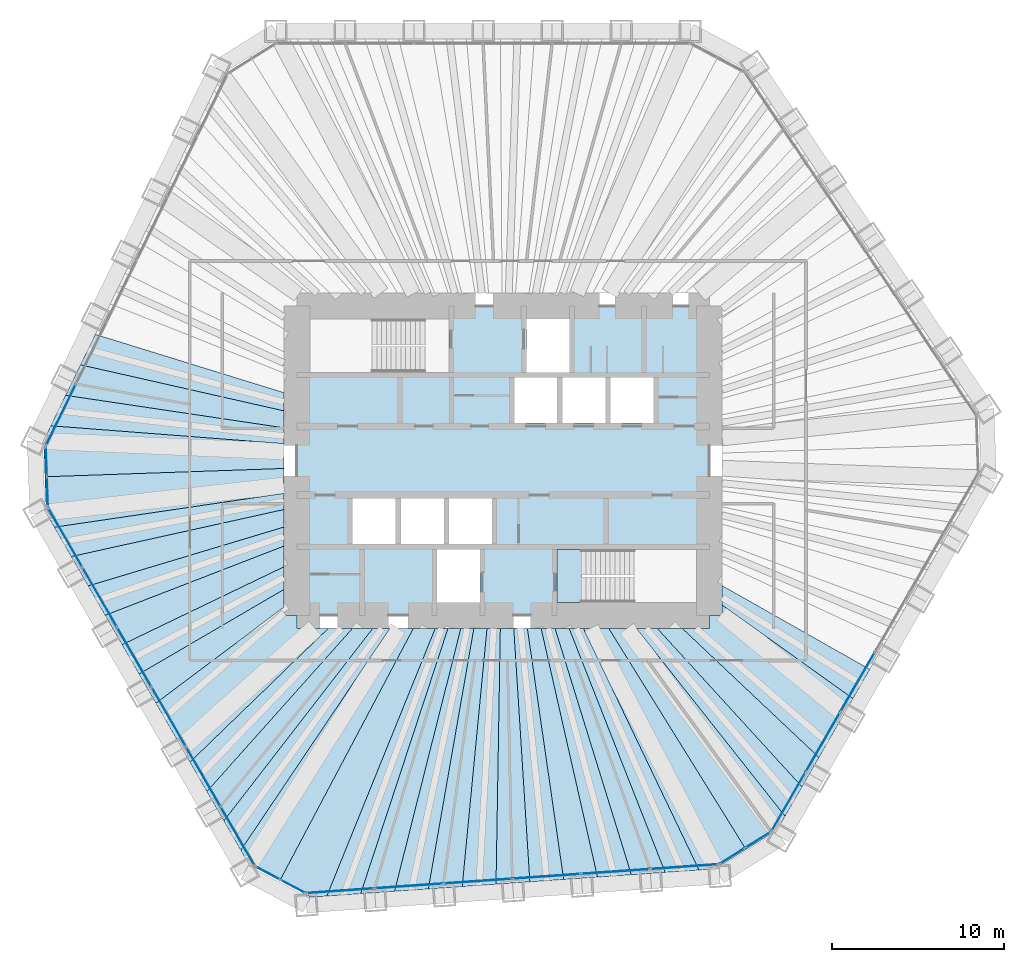
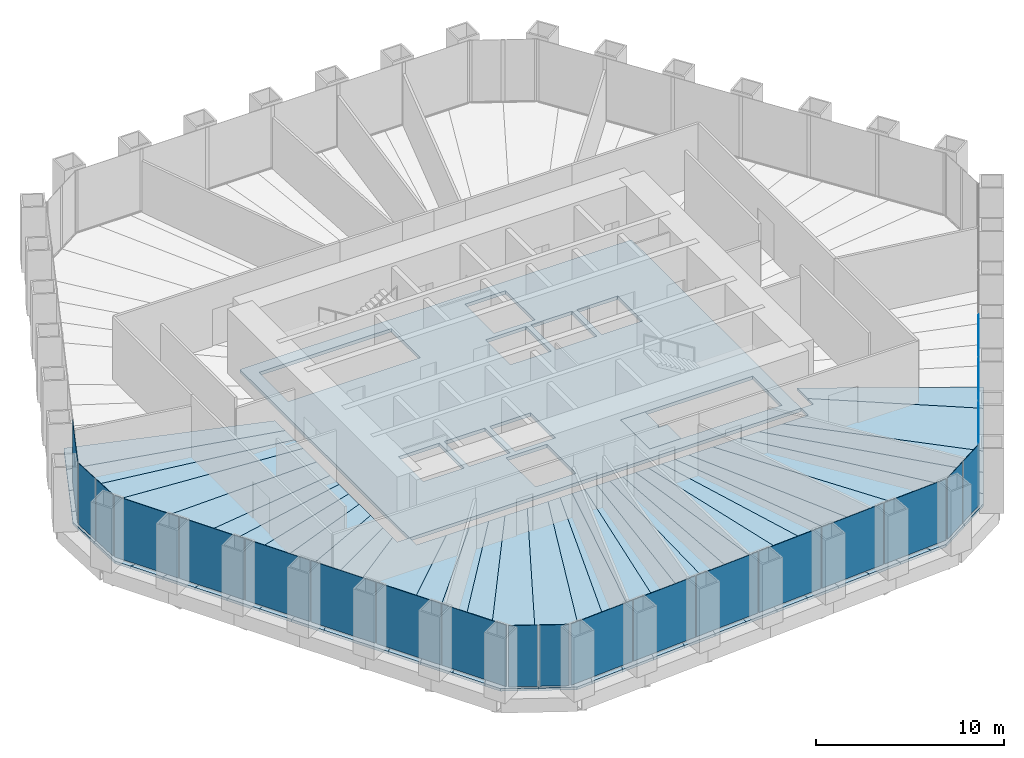
# One storey, part 7 of 12: 36 slabs, 22 plates, 8 elements without a shape of their own.
"""IFC4 building model written with IfcOpenShell, lengths in metres."""

import ifcopenshell
import ifcopenshell.guid

model = None  # the IFC model being written
_history = None  # IfcOwnerHistory: only IFC2X3 demands one
_inside = {}  # id of a spatial element -> (the spatial element, [elements in it])
_under = {}  # id of a project, library or spatial element -> (it, [spatial elements below it])
_declared = {}  # id of a project -> (the project, [libraries it declares])
_typed = {}  # id of a type object -> (the type object, [elements of that type])
_made_of = {}  # id of a material, layer set ... -> (it, [elements and type objects made of it])


def new_model(schema):
    """Start an empty IFC model of exactly this schema.

    Asked for "IFC4X3", IfcOpenShell would pick the latest addendum, in which some entities
    have other attributes; the version numbers below select the first issue.
    IFC2X3 requires an IfcOwnerHistory on every rooted entity: one is made here for all.
    """
    global model, _history
    if schema == "IFC4X3":
        model = ifcopenshell.file(schema_version=(4, 3, 0, 0))
    else:
        model = ifcopenshell.file(schema=schema)
    _inside.clear()
    _under.clear()
    _declared.clear()
    _typed.clear()
    _made_of.clear()
    _history = None
    if model.schema == "IFC2X3":
        org = make("IfcOrganization", Name="unknown")
        user = make(
            "IfcPersonAndOrganization",
            ThePerson=make("IfcPerson", FamilyName="unknown"),
            TheOrganization=org,
        )
        app = make(
            "IfcApplication",
            ApplicationDeveloper=org,
            Version="unknown",
            ApplicationFullName="unknown",
            ApplicationIdentifier="unknown",
        )
        _history = make(
            "IfcOwnerHistory",
            OwningUser=user,
            OwningApplication=app,
            ChangeAction="ADDED",
            CreationDate=0,
        )
    return model


def make(cls, **values):
    """One entity of the class cls with the attributes given. An attribute that is None is left unset."""
    return model.create_entity(
        cls, **{name: value for name, value in values.items() if value is not None}
    )


def rooted(cls, **values):
    """An entity with a GlobalId (a new one), such as an element, a storey or a relation."""
    return make(cls, GlobalId=ifcopenshell.guid.new(), OwnerHistory=_history, **values)


def si_unit(unit_type, name, prefix=None):
    """IfcSIUnit, for example si_unit("LENGTHUNIT", "METRE", prefix="MILLI")."""
    return make("IfcSIUnit", UnitType=unit_type, Prefix=prefix, Name=name)


def assignment(units):
    """IfcUnitAssignment: the units of a project."""
    return None if units is None else make("IfcUnitAssignment", Units=units)


def point(xyz):
    """IfcCartesianPoint."""
    return None if xyz is None else make("IfcCartesianPoint", Coordinates=xyz)


def direction(xyz):
    """IfcDirection."""
    return None if xyz is None else make("IfcDirection", DirectionRatios=xyz)


def frame(location, z_axis=None, x_axis=None):
    """IfcAxis2Placement3D, a coordinate frame: its origin and axes. An axis left out is left unset."""
    return make(
        "IfcAxis2Placement3D",
        Location=point(location),
        Axis=direction(z_axis),
        RefDirection=direction(x_axis),
    )


def frame_2d(location, x_axis=None):
    """IfcAxis2Placement2D, a coordinate frame in the plane: its origin and x axis."""
    return make(
        "IfcAxis2Placement2D", Location=point(location), RefDirection=direction(x_axis)
    )


def origin():
    """The frame at (0, 0, 0) with its axes left unset."""
    return frame((0.0, 0.0, 0.0))


def origin_2d():
    """The frame at (0, 0) in the plane with its x axis left unset."""
    return frame_2d((0.0, 0.0))


def place(relative_to, where):
    """IfcLocalPlacement: puts the frame where relative to a parent placement (None: the world)."""
    return make(
        "IfcLocalPlacement", PlacementRelTo=relative_to, RelativePlacement=where
    )


def context(
    kind, dimensions, precision=None, world=None, true_north=None, identifier=None
):
    """IfcGeometricRepresentationContext, for example the 3D "Model" context."""
    return make(
        "IfcGeometricRepresentationContext",
        ContextIdentifier=identifier,
        ContextType=kind,
        CoordinateSpaceDimension=dimensions,
        Precision=precision,
        WorldCoordinateSystem=world,
        TrueNorth=true_north,
    )


def subcontext(parent, identifier, kind, view, scale=None):
    """IfcGeometricRepresentationSubContext, for example "Body" below "Model"."""
    return make(
        "IfcGeometricRepresentationSubContext",
        ContextIdentifier=identifier,
        ContextType=kind,
        ParentContext=parent,
        TargetScale=scale,
        TargetView=view,
    )


def project(units=None, contexts=None):
    """IfcProject with its units and contexts."""
    return rooted(
        "IfcProject",
        Name="project",
        RepresentationContexts=contexts,
        UnitsInContext=assignment(units),
    )


def spatial(cls, under=None, at=None, **own):
    """A site, building, storey or space (cls), placed at a placement, below another one or the project."""
    s = rooted(cls, ObjectPlacement=at, **own)
    if under is not None:
        _under.setdefault(under.id(), (under, []))[1].append(s)
    return s


def polyline(points):
    """IfcPolyline through the points."""
    return make("IfcPolyline", Points=[point(p) for p in points])


def profile(cls, at=None, kind="AREA", **sizes):
    """A parametric profile (cls). Its sizes go by their IFC names, for example OverallWidth=200.0."""
    return make(cls, ProfileType=kind, Position=at, **sizes)


def rectangle(**sizes):
    """IfcRectangleProfileDef."""
    return profile("IfcRectangleProfileDef", **sizes)


def outline(outer, holes=None, kind="AREA"):
    """IfcArbitraryClosedProfileDef: a profile drawn as a closed curve; with holes, ...WithVoids."""
    if holes is None:
        return make("IfcArbitraryClosedProfileDef", ProfileType=kind, OuterCurve=outer)
    return make(
        "IfcArbitraryProfileDefWithVoids",
        ProfileType=kind,
        OuterCurve=outer,
        InnerCurves=holes,
    )


def extrude(swept, where, along, depth):
    """IfcExtrudedAreaSolid: the profile swept, set in the frame where, extruded along a direction by depth."""
    return make(
        "IfcExtrudedAreaSolid",
        SweptArea=swept,
        Position=where,
        ExtrudedDirection=direction(along),
        Depth=depth,
    )


def shape(context_of_items, identifier, shape_type, items):
    """IfcShapeRepresentation: the items that make up one representation, for example the "Body"."""
    return make(
        "IfcShapeRepresentation",
        ContextOfItems=context_of_items,
        RepresentationIdentifier=identifier,
        RepresentationType=shape_type,
        Items=items,
    )


def material(Name=None, Category=None):
    """IfcMaterial."""
    return make("IfcMaterial", Name=Name, Category=Category)


def layer(
    of_material, thickness, ventilated=None, Name=None, Category=None, Priority=None
):
    """IfcMaterialLayer: one layer of a wall or slab, of a material (None: an air gap)."""
    return make(
        "IfcMaterialLayer",
        Material=of_material,
        LayerThickness=thickness,
        IsVentilated=ventilated,
        Name=Name,
        Category=Category,
        Priority=Priority,
    )


def layer_set(layers, Name=None):
    """IfcMaterialLayerSet."""
    return make("IfcMaterialLayerSet", MaterialLayers=layers, LayerSetName=Name)


def made_of(thing, what):
    """Note that an element or type object is made of a material, layer set ...; save() writes the relation."""
    if what is not None:
        _made_of.setdefault(what.id(), (what, []))[1].append(thing)
    return thing


def type_object(cls, material=None, **own):
    """A type object (cls), such as IfcWallType, which elements share."""
    return made_of(rooted(cls, **own), material)


def element(
    cls,
    number,
    at=None,
    inside=None,
    cuts=None,
    type_object=None,
    material=None,
    context=None,
    identifier="Body",
    shape_type=None,
    held_by="IfcProductDefinitionShape",
    body=None,
    shapes=None,
    **own,
):
    """One element of the class cls, such as IfcWall. Its Tag is "e" and its number.

    at: its placement. inside: the storey or other place that contains it. cuts: it is an
    opening in that element (IfcRelVoidsElement). A single representation is given by context,
    identifier, shape_type and body (its items); several are given by shapes. held_by: the class
    of the entity that holds the representations. save() writes the other relations.
    """
    e = rooted(cls, Tag="e%d" % number, ObjectPlacement=at, **own)
    if body is not None:
        shapes = [shape(context, identifier, shape_type, body)]
    if shapes is not None:
        e.Representation = make(held_by, Representations=shapes)
    if inside is not None:
        _inside.setdefault(inside.id(), (inside, []))[1].append(e)
    if cuts is not None:
        rooted(
            "IfcRelVoidsElement", RelatingBuildingElement=cuts, RelatedOpeningElement=e
        )
    if type_object is not None:
        _typed.setdefault(type_object.id(), (type_object, []))[1].append(e)
    return made_of(e, material)


def aggregate(whole, parts):
    """IfcRelAggregates: a whole, such as a stair, and the parts it consists of."""
    return rooted("IfcRelAggregates", RelatingObject=whole, RelatedObjects=parts)


def save(model, path):
    """Write the relations noted so far, then the file.

    IfcRelAggregates (storeys below a building ...), IfcRelContainedInSpatialStructure (elements
    in a storey), IfcRelDefinesByType, IfcRelAssociatesMaterial and IfcRelDeclares: one each for
    every whole, place, type object, material and project.
    """
    for whole, parts in _under.values():
        aggregate(whole, parts)
    for where, things in _inside.values():
        rooted(
            "IfcRelContainedInSpatialStructure",
            RelatedElements=things,
            RelatingStructure=where,
        )
    for kind, things in _typed.values():
        rooted("IfcRelDefinesByType", RelatedObjects=things, RelatingType=kind)
    for what, things in _made_of.values():
        rooted("IfcRelAssociatesMaterial", RelatedObjects=things, RelatingMaterial=what)
    for by, libraries in _declared.values():
        rooted("IfcRelDeclares", RelatingContext=by, RelatedDefinitions=libraries)
    model.write(path)


model = new_model("IFC4")

# Units and contexts
model_context = context("Model", 3, precision=1e-05, world=origin(), true_north=direction((0.0, 1.0)))
body_context = subcontext(model_context, "Body", "Model", "MODEL_VIEW")
ifc_project = project(units=[si_unit("LENGTHUNIT", "METRE"), si_unit("AREAUNIT", "SQUARE_METRE"), si_unit("VOLUMEUNIT", "CUBIC_METRE"), si_unit("PLANEANGLEUNIT", "RADIAN"), si_unit("MASSUNIT", "GRAM", prefix="KILO")], contexts=[model_context])

# Site, building, storey
site_placement = place(None, origin())
site = spatial("IfcSite", under=ifc_project, at=site_placement, CompositionType="ELEMENT")
building_placement = place(site_placement, origin())
building = spatial("IfcBuilding", under=site, at=building_placement, Name="Qingtian Harvest Tower", CompositionType="ELEMENT")
storey_placement = place(building_placement, frame((0.0, 0.0, 107.199951171875)))
storey = spatial("IfcBuildingStorey", under=building, at=storey_placement, Name="L21", CompositionType="ELEMENT", Elevation=107.199951171875)

# Slabs
ifc_material_1 = material(Name="Concrete fc' 35 MPa", Category="concrete")
ifc_layer_1 = layer(ifc_material_1, 0.169921875)
ifc_layer_set_1 = layer_set([ifc_layer_1], Name="Composite floor slab FS17 170")
slab_type_1 = type_object("IfcSlabType", Name="Composite floor slab FS17 170", PredefinedType="FLOOR", material=ifc_layer_set_1)
slab_1_placement = place(storey_placement, frame((0.0, 0.0, -0.169921875)))
element("IfcSlab", 1, at=slab_1_placement, inside=storey, type_object=slab_type_1, Name="Floor slab L21 panel D01", PredefinedType="FLOOR", context=body_context, shape_type="SweptSolid", body=[
    extrude(outline(polyline([(-26.667236328125, -0.931396484375), (-12.75, -0.447998046875), (-12.75, -1.89599609375), (-26.12109375, -3.866943359375), (-26.59326171875, -3.049072265625), (-26.667236328125, -0.931396484375)])), origin(), (0.0, 0.0, 1.0), 0.169921875),
])
slab_2_placement = place(storey_placement, frame((0.0, 0.0, -0.169921875)))
element("IfcSlab", 2, at=slab_2_placement, inside=storey, type_object=slab_type_1, Name="Floor slab L21 panel D02", PredefinedType="FLOOR", context=body_context, shape_type="SweptSolid", body=[
    extrude(outline(polyline([(-12.75, -2.838134765625), (-25.13427734375, -5.576416015625), (-26.12109375, -3.866943359375), (-12.75, -1.89599609375), (-12.75, -2.838134765625)])), origin(), (0.0, 0.0, 1.0), 0.169921875),
])
slab_3_placement = place(storey_placement, frame((0.0, 0.0, -0.169921875)))
element("IfcSlab", 3, at=slab_3_placement, inside=storey, type_object=slab_type_1, Name="Floor slab L21 panel D03", PredefinedType="FLOOR", context=body_context, shape_type="SweptSolid", body=[
    extrude(outline(polyline([(-12.75, -3.857666015625), (-24.147216796875, -7.28564453125), (-25.13427734375, -5.576416015625), (-12.75, -2.838134765625), (-12.75, -3.857666015625)])), origin(), (0.0, 0.0, 1.0), 0.169921875),
])
slab_4_placement = place(storey_placement, frame((0.0, 0.0, -0.169921875)))
element("IfcSlab", 4, at=slab_4_placement, inside=storey, type_object=slab_type_1, Name="Floor slab L21 panel D04", PredefinedType="FLOOR", context=body_context, shape_type="SweptSolid", body=[
    extrude(outline(polyline([(-12.75, -4.9638671875), (-23.160400390625, -8.9951171875), (-24.147216796875, -7.28564453125), (-12.75, -3.857666015625), (-12.75, -4.9638671875)])), origin(), (0.0, 0.0, 1.0), 0.169921875),
])
slab_5_placement = place(storey_placement, frame((0.0, 0.0, -0.169921875)))
element("IfcSlab", 5, at=slab_5_placement, inside=storey, type_object=slab_type_1, Name="Floor slab L21 panel D05", PredefinedType="FLOOR", context=body_context, shape_type="SweptSolid", body=[
    extrude(outline(polyline([(-12.75, -6.1689453125), (-22.17333984375, -10.70458984375), (-23.160400390625, -8.9951171875), (-12.75, -4.9638671875), (-12.75, -6.1689453125)])), origin(), (0.0, 0.0, 1.0), 0.169921875),
])
slab_6_placement = place(storey_placement, frame((0.0, 0.0, -0.169921875)))
element("IfcSlab", 6, at=slab_6_placement, inside=storey, type_object=slab_type_1, Name="Floor slab L21 panel D06", PredefinedType="FLOOR", context=body_context, shape_type="SweptSolid", body=[
    extrude(outline(polyline([(-12.75, -7.486328125), (-21.1865234375, -12.413818359375), (-22.17333984375, -10.70458984375), (-12.75, -6.1689453125), (-12.75, -7.486328125)])), origin(), (0.0, 0.0, 1.0), 0.169921875),
])
slab_7_placement = place(storey_placement, frame((0.0, 0.0, -0.169921875)))
element("IfcSlab", 7, at=slab_7_placement, inside=storey, type_object=slab_type_1, Name="Floor slab L21 panel D07", PredefinedType="FLOOR", context=body_context, shape_type="SweptSolid", body=[
    extrude(outline(polyline([(-12.75, -8.512451171875), (-20.20751953125, -14.109619140625), (-21.1865234375, -12.413818359375), (-12.75, -7.486328125), (-12.75, -8.512451171875)])), origin(), (0.0, 0.0, 1.0), 0.169921875),
])
slab_8_placement = place(storey_placement, frame((0.0, 0.0, -0.169921875)))
element("IfcSlab", 8, at=slab_8_placement, inside=storey, type_object=slab_type_1, Name="Floor slab L21 panel D09", PredefinedType="FLOOR", context=body_context, shape_type="SweptSolid", body=[
    extrude(outline(polyline([(-18.2265625, -17.54052734375), (-20.20751953125, -14.109619140625), (-12.75, -8.512451171875), (-12.75, -9.0), (-12.0, -9.0), (-12.0, -9.75), (-10.168212890625, -9.75), (-18.2265625, -17.54052734375)])), origin(), (0.0, 0.0, 1.0), 0.169921875),
])
slab_9_placement = place(storey_placement, frame((0.0, 0.0, -0.169921875)))
element("IfcSlab", 9, at=slab_9_placement, inside=storey, type_object=slab_type_1, Name="Floor slab L21 panel D10", PredefinedType="FLOOR", context=body_context, shape_type="SweptSolid", body=[
    extrude(outline(polyline([(-8.759521484375, -9.75), (-17.23974609375, -19.25), (-18.2265625, -17.54052734375), (-10.168212890625, -9.75), (-8.759521484375, -9.75)])), origin(), (0.0, 0.0, 1.0), 0.169921875),
])
slab_10_placement = place(storey_placement, frame((0.0, 0.0, -0.169921875)))
element("IfcSlab", 10, at=slab_10_placement, inside=storey, type_object=slab_type_1, Name="Floor slab L21 panel D11", PredefinedType="FLOOR", context=body_context, shape_type="SweptSolid", body=[
    extrude(outline(polyline([(-7.58203125, -9.75), (-16.252685546875, -20.95947265625), (-17.23974609375, -19.25), (-8.759521484375, -9.75), (-7.58203125, -9.75)])), origin(), (0.0, 0.0, 1.0), 0.169921875),
])
slab_11_placement = place(storey_placement, frame((0.0, 0.0, -0.169921875)))
element("IfcSlab", 11, at=slab_11_placement, inside=storey, type_object=slab_type_1, Name="Floor slab L21 panel D12", PredefinedType="FLOOR", context=body_context, shape_type="SweptSolid", body=[
    extrude(outline(polyline([(-6.5830078125, -9.75), (-15.265869140625, -22.6689453125), (-16.252685546875, -20.95947265625), (-7.58203125, -9.75), (-6.5830078125, -9.75)])), origin(), (0.0, 0.0, 1.0), 0.169921875),
])
slab_12_placement = place(storey_placement, frame((0.0, 0.0, -0.169921875)))
element("IfcSlab", 12, at=slab_12_placement, inside=storey, type_object=slab_type_1, Name="Floor slab L21 panel D13", PredefinedType="FLOOR", context=body_context, shape_type="SweptSolid", body=[
    extrude(outline(polyline([(-6.5830078125, -9.75), (-5.21875, -9.75), (-12.9970703125, -24.442138671875), (-14.79345703125, -23.487060546875), (-15.265869140625, -22.6689453125), (-6.5830078125, -9.75)])), origin(), (0.0, 0.0, 1.0), 0.169921875),
])
slab_13_placement = place(storey_placement, frame((0.0, 0.0, -0.169921875)))
element("IfcSlab", 13, at=slab_13_placement, inside=storey, type_object=slab_type_1, Name="Floor slab L21 panel D14", PredefinedType="FLOOR", context=body_context, shape_type="SweptSolid", body=[
    extrude(outline(polyline([(-5.21875, -9.75), (-3.947021484375, -9.75), (-10.25732421875, -25.332275390625), (-11.19921875, -25.398193359375), (-12.9970703125, -24.442138671875), (-5.21875, -9.75)])), origin(), (0.0, 0.0, 1.0), 0.169921875),
])
slab_14_placement = place(storey_placement, frame((0.0, 0.0, -0.169921875)))
element("IfcSlab", 14, at=slab_14_placement, inside=storey, type_object=slab_type_1, Name="Floor slab L21 panel D15", PredefinedType="FLOOR", context=body_context, shape_type="SweptSolid", body=[
    extrude(outline(polyline([(-3.20654296875, -9.75), (-8.288330078125, -25.194580078125), (-10.25732421875, -25.332275390625), (-3.947021484375, -9.75), (-3.20654296875, -9.75)])), origin(), (0.0, 0.0, 1.0), 0.169921875),
])
slab_15_placement = place(storey_placement, frame((0.0, 0.0, -0.169921875)))
element("IfcSlab", 15, at=slab_15_placement, inside=storey, type_object=slab_type_1, Name="Floor slab L21 panel D16", PredefinedType="FLOOR", context=body_context, shape_type="SweptSolid", body=[
    extrude(outline(polyline([(-2.4580078125, -9.75), (-6.3193359375, -25.056884765625), (-8.288330078125, -25.194580078125), (-3.20654296875, -9.75), (-2.4580078125, -9.75)])), origin(), (0.0, 0.0, 1.0), 0.169921875),
])
slab_16_placement = place(storey_placement, frame((0.0, 0.0, -0.169921875)))
element("IfcSlab", 16, at=slab_16_placement, inside=storey, type_object=slab_type_1, Name="Floor slab L21 panel D17", PredefinedType="FLOOR", context=body_context, shape_type="SweptSolid", body=[
    extrude(outline(polyline([(-1.701171875, -9.75), (-4.3505859375, -24.919189453125), (-6.3193359375, -25.056884765625), (-2.4580078125, -9.75), (-1.701171875, -9.75)])), origin(), (0.0, 0.0, 1.0), 0.169921875),
])
slab_17_placement = place(storey_placement, frame((0.0, 0.0, -0.169921875)))
element("IfcSlab", 17, at=slab_17_placement, inside=storey, type_object=slab_type_1, Name="Floor slab L21 panel D18", PredefinedType="FLOOR", context=body_context, shape_type="SweptSolid", body=[
    extrude(outline(polyline([(-0.93603515625, -9.75), (-2.381591796875, -24.781494140625), (-4.3505859375, -24.919189453125), (-1.701171875, -9.75), (-0.93603515625, -9.75)])), origin(), (0.0, 0.0, 1.0), 0.169921875),
])
slab_18_placement = place(storey_placement, frame((0.0, 0.0, -0.169921875)))
element("IfcSlab", 18, at=slab_18_placement, inside=storey, type_object=slab_type_1, Name="Floor slab L21 panel D19", PredefinedType="FLOOR", context=body_context, shape_type="SweptSolid", body=[
    extrude(outline(polyline([(-0.162109375, -9.75), (-0.41259765625, -24.643798828125), (-2.381591796875, -24.781494140625), (-0.93603515625, -9.75), (-0.162109375, -9.75)])), origin(), (0.0, 0.0, 1.0), 0.169921875),
])
slab_19_placement = place(storey_placement, frame((0.0, 0.0, -0.169921875)))
element("IfcSlab", 19, at=slab_19_placement, inside=storey, type_object=slab_type_1, Name="Floor slab L21 panel D20", PredefinedType="FLOOR", context=body_context, shape_type="SweptSolid", body=[
    extrude(outline(polyline([(0.620361328125, -9.75), (1.556396484375, -24.506103515625), (-0.41259765625, -24.643798828125), (-0.162109375, -9.75), (0.620361328125, -9.75)])), origin(), (0.0, 0.0, 1.0), 0.169921875),
])
slab_20_placement = place(storey_placement, frame((0.0, 0.0, -0.169921875)))
element("IfcSlab", 20, at=slab_20_placement, inside=storey, type_object=slab_type_1, Name="Floor slab L21 panel D21", PredefinedType="FLOOR", context=body_context, shape_type="SweptSolid", body=[
    extrude(outline(polyline([(1.41162109375, -9.75), (3.525390625, -24.368408203125), (1.556396484375, -24.506103515625), (0.620361328125, -9.75), (1.41162109375, -9.75)])), origin(), (0.0, 0.0, 1.0), 0.169921875),
])
slab_21_placement = place(storey_placement, frame((0.0, 0.0, -0.169921875)))
element("IfcSlab", 21, at=slab_21_placement, inside=storey, type_object=slab_type_1, Name="Floor slab L21 panel D22", PredefinedType="FLOOR", context=body_context, shape_type="SweptSolid", body=[
    extrude(outline(polyline([(2.2119140625, -9.75), (5.494384765625, -24.230712890625), (3.525390625, -24.368408203125), (1.41162109375, -9.75), (2.2119140625, -9.75)])), origin(), (0.0, 0.0, 1.0), 0.169921875),
])
slab_22_placement = place(storey_placement, frame((0.0, 0.0, -0.169921875)))
element("IfcSlab", 22, at=slab_22_placement, inside=storey, type_object=slab_type_1, Name="Floor slab L21 panel D23", PredefinedType="FLOOR", context=body_context, shape_type="SweptSolid", body=[
    extrude(outline(polyline([(3.021484375, -9.75), (7.46337890625, -24.093017578125), (5.494384765625, -24.230712890625), (2.2119140625, -9.75), (3.021484375, -9.75)])), origin(), (0.0, 0.0, 1.0), 0.169921875),
])
slab_23_placement = place(storey_placement, frame((0.0, 0.0, -0.169921875)))
element("IfcSlab", 23, at=slab_23_placement, inside=storey, type_object=slab_type_1, Name="Floor slab L21 panel D24", PredefinedType="FLOOR", context=body_context, shape_type="SweptSolid", body=[
    extrude(outline(polyline([(3.840087890625, -9.75), (9.43212890625, -23.955322265625), (7.46337890625, -24.093017578125), (3.021484375, -9.75), (3.840087890625, -9.75)])), origin(), (0.0, 0.0, 1.0), 0.169921875),
])
slab_24_placement = place(storey_placement, frame((0.0, 0.0, -0.169921875)))
element("IfcSlab", 24, at=slab_24_placement, inside=storey, type_object=slab_type_1, Name="Floor slab L21 panel D25", PredefinedType="FLOOR", context=body_context, shape_type="SweptSolid", body=[
    extrude(outline(polyline([(4.66845703125, -9.75), (11.401123046875, -23.817626953125), (9.43212890625, -23.955322265625), (3.840087890625, -9.75), (4.66845703125, -9.75)])), origin(), (0.0, 0.0, 1.0), 0.169921875),
])
slab_25_placement = place(storey_placement, frame((0.0, 0.0, -0.169921875)))
element("IfcSlab", 25, at=slab_25_placement, inside=storey, type_object=slab_type_1, Name="Floor slab L21 panel D26", PredefinedType="FLOOR", context=body_context, shape_type="SweptSolid", body=[
    extrude(outline(polyline([(4.66845703125, -9.75), (6.14404296875, -9.75), (14.141357421875, -22.628173828125), (12.343017578125, -23.751953125), (11.401123046875, -23.817626953125), (4.66845703125, -9.75)])), origin(), (0.0, 0.0, 1.0), 0.169921875),
])
slab_26_placement = place(storey_placement, frame((0.0, 0.0, -0.169921875)))
element("IfcSlab", 26, at=slab_26_placement, inside=storey, type_object=slab_type_1, Name="Floor slab L21 panel D27", PredefinedType="FLOOR", context=body_context, shape_type="SweptSolid", body=[
    extrude(outline(polyline([(6.14404296875, -9.75), (7.756103515625, -9.75), (16.40966796875, -20.687744140625), (15.937255859375, -21.505859375), (14.141357421875, -22.628173828125), (6.14404296875, -9.75)])), origin(), (0.0, 0.0, 1.0), 0.169921875),
])
slab_27_placement = place(storey_placement, frame((0.0, 0.0, -0.169921875)))
element("IfcSlab", 27, at=slab_27_placement, inside=storey, type_object=slab_type_1, Name="Floor slab L21 panel D28", PredefinedType="FLOOR", context=body_context, shape_type="SweptSolid", body=[
    extrude(outline(polyline([(8.966552734375, -9.75), (17.396484375, -18.978271484375), (16.40966796875, -20.687744140625), (7.756103515625, -9.75), (8.966552734375, -9.75)])), origin(), (0.0, 0.0, 1.0), 0.169921875),
])
slab_28_placement = place(storey_placement, frame((0.0, 0.0, -0.169921875)))
element("IfcSlab", 28, at=slab_28_placement, inside=storey, type_object=slab_type_1, Name="Floor slab L21 panel D29", PredefinedType="FLOOR", context=body_context, shape_type="SweptSolid", body=[
    extrude(outline(polyline([(10.41796875, -9.75), (18.383544921875, -17.2685546875), (17.396484375, -18.978271484375), (8.966552734375, -9.75), (10.41796875, -9.75)])), origin(), (0.0, 0.0, 1.0), 0.169921875),
])
slab_29_placement = place(storey_placement, frame((0.0, 0.0, -0.169921875)))
element("IfcSlab", 29, at=slab_29_placement, inside=storey, type_object=slab_type_1, Name="Floor slab L21 panel D31", PredefinedType="FLOOR", context=body_context, shape_type="SweptSolid", body=[
    extrude(outline(polyline([(12.75, -8.398681640625), (20.362060546875, -13.841796875), (18.383544921875, -17.2685546875), (10.41796875, -9.75), (12.0, -9.75), (12.0, -9.0), (12.75, -9.0), (12.75, -8.398681640625)])), origin(), (0.0, 0.0, 1.0), 0.169921875),
])
slab_30_placement = place(storey_placement, frame((0.0, 0.0, -0.169921875)))
element("IfcSlab", 30, at=slab_30_placement, inside=storey, type_object=slab_type_1, Name="Floor slab L21 panel D32", PredefinedType="FLOOR", context=body_context, shape_type="SweptSolid", body=[
    extrude(outline(polyline([(12.75, -7.268798828125), (21.343505859375, -12.14208984375), (20.362060546875, -13.841796875), (12.75, -8.398681640625), (12.75, -7.268798828125)])), origin(), (0.0, 0.0, 1.0), 0.169921875),
])
slab_31_placement = place(storey_placement, frame((0.0, 0.0, -0.169921875)))
element("IfcSlab", 31, at=slab_31_placement, inside=storey, type_object=slab_type_1, Name="Floor slab L21 panel D75", PredefinedType="FLOOR", context=body_context, shape_type="SweptSolid", body=[
    extrude(outline(polyline([(-12.75, 2.903076171875), (-24.5966796875, 5.58349609375), (-23.7314453125, 7.357421875), (-12.75, 3.962646484375), (-12.75, 2.903076171875)])), origin(), (0.0, 0.0, 1.0), 0.169921875),
])
slab_32_placement = place(storey_placement, frame((0.0, 0.0, -0.169921875)))
element("IfcSlab", 32, at=slab_32_placement, inside=storey, type_object=slab_type_1, Name="Floor slab L21 panel D76", PredefinedType="FLOOR", context=body_context, shape_type="SweptSolid", body=[
    extrude(outline(polyline([(-12.75, 1.91552734375), (-25.4619140625, 3.809326171875), (-24.5966796875, 5.58349609375), (-12.75, 2.903076171875), (-12.75, 1.91552734375)])), origin(), (0.0, 0.0, 1.0), 0.169921875),
])
slab_33_placement = place(storey_placement, frame((0.0, 0.0, -0.169921875)))
element("IfcSlab", 33, at=slab_33_placement, inside=storey, type_object=slab_type_1, Name="Floor slab L21 panel D77", PredefinedType="FLOOR", context=body_context, shape_type="SweptSolid", body=[
    extrude(outline(polyline([(-12.75, 0.992919921875), (-26.3271484375, 2.035400390625), (-25.4619140625, 3.809326171875), (-12.75, 1.91552734375), (-12.75, 0.992919921875)])), origin(), (0.0, 0.0, 1.0), 0.169921875),
])
slab_34_placement = place(storey_placement, frame((0.0, 0.0, -0.169921875)))
element("IfcSlab", 34, at=slab_34_placement, inside=storey, type_object=slab_type_1, Name="Floor slab L21 panel D78", PredefinedType="FLOOR", context=body_context, shape_type="SweptSolid", body=[
    extrude(outline(polyline([(-12.75, 0.992919921875), (-12.75, -0.447998046875), (-26.667236328125, -0.931396484375), (-26.7412109375, 1.1865234375), (-26.3271484375, 2.035400390625), (-12.75, 0.992919921875)])), origin(), (0.0, 0.0, 1.0), 0.169921875),
])
ifc_material_2 = material(Name="Concrete fc' 35 MPa", Category="concrete")
ifc_layer_2 = layer(ifc_material_2, 0.219970703125)
ifc_layer_set_2 = layer_set([ifc_layer_2], Name="Core floor slab CS22 220")
slab_type_2 = type_object("IfcSlabType", Name="Core floor slab CS22 220", PredefinedType="FLOOR", material=ifc_layer_set_2)
slab_35_placement = place(storey_placement, frame((0.0, 0.0, -0.219970703125)))
element("IfcSlab", 35, at=slab_35_placement, inside=storey, type_object=slab_type_2, Name="Core floor slab L21", PredefinedType="FLOOR", context=body_context, shape_type="SweptSolid", body=[
    extrude(outline(polyline([(-12.0, -9.0), (12.0, -9.0), (12.0, 9.0), (-12.0, 9.0), (-12.0, -9.0)]), holes=[polyline([(-11.25, 5.14990234375), (-3.14990234375, 5.14990234375), (-3.14990234375, 8.25), (-11.25, 8.25), (-11.25, 5.14990234375)]), polyline([(3.14990234375, -8.25), (11.25, -8.25), (11.25, -5.14990234375), (3.14990234375, -5.14990234375), (3.14990234375, -8.25)]), polyline([(1.35009765625, 5.14990234375), (3.85009765625, 5.14990234375), (3.85009765625, 8.25), (1.35009765625, 8.25), (1.35009765625, 5.14990234375)]), polyline([(-3.85009765625, -8.25), (-1.35009765625, -8.25), (-1.35009765625, -5.14990234375), (-3.85009765625, -5.14990234375), (-3.85009765625, -8.25)]), polyline([(0.64990234375, 2.199951171875), (3.14990234375, 2.199951171875), (3.14990234375, 4.85009765625), (0.64990234375, 4.85009765625), (0.64990234375, 2.199951171875)]), polyline([(3.449951171875, 2.199951171875), (5.949951171875, 2.199951171875), (5.949951171875, 4.85009765625), (3.449951171875, 4.85009765625), (3.449951171875, 2.199951171875)]), polyline([(6.25, 2.199951171875), (8.75, 2.199951171875), (8.75, 4.85009765625), (6.25, 4.85009765625), (6.25, 2.199951171875)]), polyline([(-8.75, -4.85009765625), (-6.25, -4.85009765625), (-6.25, -2.199951171875), (-8.75, -2.199951171875), (-8.75, -4.85009765625)]), polyline([(-5.949951171875, -4.85009765625), (-3.449951171875, -4.85009765625), (-3.449951171875, -2.199951171875), (-5.949951171875, -2.199951171875), (-5.949951171875, -4.85009765625)]), polyline([(-3.14990234375, -4.85009765625), (-0.64990234375, -4.85009765625), (-0.64990234375, -2.199951171875), (-3.14990234375, -2.199951171875), (-3.14990234375, -4.85009765625)])]), origin(), (0.0, 0.0, 1.0), 0.219970703125),
])

# Curtain wall, plates
ifc_material_3 = material(Name="Bronze-anodised aluminium curtain wall", Category="aluminium")
curtain_wall_type = type_object("IfcCurtainWallType", Name="Curtain wall CW4 office", PredefinedType="USERDEFINED", material=ifc_material_3)
curtain_wall_1_placement = place(storey_placement, origin())
curtain_wall_1 = element("IfcCurtainWall", 36, at=curtain_wall_1_placement, inside=storey, type_object=curtain_wall_type, Name="Curtain wall CW4 L21 SE0-5", ObjectType="RECESSED CURTAIN WALL", PredefinedType="USERDEFINED")
ifc_material_4 = material(Name="Bronze-tinted laminated insulating glass", Category="glass")
ifc_layer_3 = layer(ifc_material_4, 0.030029296875)
ifc_layer_set_3 = layer_set([ifc_layer_3], Name="Glazed panel CWP tinted IGU")
plate_type = type_object("IfcPlateType", Name="Glazed panel CWP tinted IGU", PredefinedType="CURTAIN_PANEL", material=ifc_layer_set_3)
plate_1_placement = place(storey_placement, frame((20.621826171875, -12.8818359375, 0.06494140625), z_axis=(0.0, 0.0, 1.0), x_axis=(-0.5, -0.866025403784, 0.0)))
plate_1 = element("IfcPlate", 37, at=plate_1_placement, type_object=plate_type, Name="CW4 panel 4.1", PredefinedType="CURTAIN_PANEL", context=body_context, shape_type="SweptSolid", body=[
    extrude(rectangle(XDim=3.9541015625, YDim=0.030029296875, at=origin_2d()), origin(), (0.0, 0.0, 1.0), 3.965087890625),
])
plate_2_placement = place(storey_placement, frame((18.6123046875, -16.362548828125, 0.06494140625), z_axis=(0.0, 0.0, 1.0), x_axis=(-0.5, -0.866025403784, 0.0)))
plate_2 = element("IfcPlate", 38, at=plate_2_placement, type_object=plate_type, Name="CW4 panel 5.1", PredefinedType="CURTAIN_PANEL", context=body_context, shape_type="SweptSolid", body=[
    extrude(rectangle(XDim=3.9541015625, YDim=0.030029296875, at=origin_2d()), origin(), (0.0, 0.0, 1.0), 3.965087890625),
])
plate_3_placement = place(storey_placement, frame((16.61083984375, -19.8291015625, 0.06494140625), z_axis=(0.0, 0.0, 1.0), x_axis=(-0.5, -0.866025403784, 0.0)))
plate_3 = element("IfcPlate", 39, at=plate_3_placement, type_object=plate_type, Name="CW4 panel 6.1", PredefinedType="CURTAIN_PANEL", context=body_context, shape_type="SweptSolid", body=[
    extrude(rectangle(XDim=3.921630859375, YDim=0.030029296875, at=origin_2d()), origin(), (0.0, 0.0, 1.0), 3.965087890625),
])
aggregate(curtain_wall_1, [plate_1, plate_2, plate_3])

curtain_wall_2_placement = place(storey_placement, origin())
curtain_wall_2 = element("IfcCurtainWall", 40, at=curtain_wall_2_placement, inside=storey, type_object=curtain_wall_type, Name="Curtain wall CW4 L21 SEC", ObjectType="RECESSED CURTAIN WALL", PredefinedType="USERDEFINED")
plate_4_placement = place(storey_placement, frame((14.8251953125, -22.06640625, 0.06494140625), z_axis=(0.0, 0.0, 1.0), x_axis=(-0.848048096156, -0.529919264233, 0.0)))
plate_4 = element("IfcPlate", 41, at=plate_4_placement, type_object=plate_type, Name="CW4 panel 1.1", PredefinedType="CURTAIN_PANEL", context=body_context, shape_type="SweptSolid", body=[
    extrude(rectangle(XDim=1.69287109375, YDim=0.030029296875, at=origin_2d()), origin(), (0.0, 0.0, 1.0), 3.965087890625),
])
plate_5_placement = place(storey_placement, frame((13.334228515625, -22.998046875, 0.06494140625), z_axis=(0.0, 0.0, 1.0), x_axis=(-0.848048096156, -0.529919264233, 0.0)))
plate_5 = element("IfcPlate", 42, at=plate_5_placement, type_object=plate_type, Name="CW4 panel 2.1", PredefinedType="CURTAIN_PANEL", context=body_context, shape_type="SweptSolid", body=[
    extrude(rectangle(XDim=1.69287109375, YDim=0.030029296875, at=origin_2d()), origin(), (0.0, 0.0, 1.0), 3.965087890625),
])
aggregate(curtain_wall_2, [plate_4, plate_5])

curtain_wall_3_placement = place(storey_placement, origin())
curtain_wall_3 = element("IfcCurtainWall", 43, at=curtain_wall_3_placement, inside=storey, type_object=curtain_wall_type, Name="Curtain wall CW4 L21 S0-5", ObjectType="RECESSED CURTAIN WALL", PredefinedType="USERDEFINED")
plate_6_placement = place(storey_placement, frame((10.54052734375, -23.622314453125, 0.06494140625), z_axis=(0.0, 0.0, 1.0), x_axis=(-0.99756405026, -0.069756473744, 0.0)))
plate_6 = element("IfcPlate", 44, at=plate_6_placement, type_object=plate_type, Name="CW4 panel 1.1", PredefinedType="CURTAIN_PANEL", context=body_context, shape_type="SweptSolid", body=[
    extrude(rectangle(XDim=3.921630859375, YDim=0.030029296875, at=origin_2d()), origin(), (0.0, 0.0, 1.0), 3.965087890625),
])
plate_7_placement = place(storey_placement, frame((6.54736328125, -23.901611328125, 0.06494140625), z_axis=(0.0, 0.0, 1.0), x_axis=(-0.99756405026, -0.069756473744, 0.0)))
plate_7 = element("IfcPlate", 45, at=plate_7_placement, type_object=plate_type, Name="CW4 panel 2.1", PredefinedType="CURTAIN_PANEL", context=body_context, shape_type="SweptSolid", body=[
    extrude(rectangle(XDim=3.9541015625, YDim=0.030029296875, at=origin_2d()), origin(), (0.0, 0.0, 1.0), 3.965087890625),
])
plate_8_placement = place(storey_placement, frame((2.5380859375, -24.181884765625, 0.06494140625), z_axis=(0.0, 0.0, 1.0), x_axis=(-0.99756405026, -0.069756473744, 0.0)))
plate_8 = element("IfcPlate", 46, at=plate_8_placement, type_object=plate_type, Name="CW4 panel 3.1", PredefinedType="CURTAIN_PANEL", context=body_context, shape_type="SweptSolid", body=[
    extrude(rectangle(XDim=3.9541015625, YDim=0.030029296875, at=origin_2d()), origin(), (0.0, 0.0, 1.0), 3.965087890625),
])
plate_9_placement = place(storey_placement, frame((-1.47119140625, -24.462158203125, 0.06494140625), z_axis=(0.0, 0.0, 1.0), x_axis=(-0.99756405026, -0.069756473744, 0.0)))
plate_9 = element("IfcPlate", 47, at=plate_9_placement, type_object=plate_type, Name="CW4 panel 4.1", PredefinedType="CURTAIN_PANEL", context=body_context, shape_type="SweptSolid", body=[
    extrude(rectangle(XDim=3.9541015625, YDim=0.030029296875, at=origin_2d()), origin(), (0.0, 0.0, 1.0), 3.965087890625),
])
plate_10_placement = place(storey_placement, frame((-5.48046875, -24.74267578125, 0.06494140625), z_axis=(0.0, 0.0, 1.0), x_axis=(-0.99756405026, -0.069756473744, 0.0)))
plate_10 = element("IfcPlate", 48, at=plate_10_placement, type_object=plate_type, Name="CW4 panel 5.1", PredefinedType="CURTAIN_PANEL", context=body_context, shape_type="SweptSolid", body=[
    extrude(rectangle(XDim=3.9541015625, YDim=0.030029296875, at=origin_2d()), origin(), (0.0, 0.0, 1.0), 3.965087890625),
])
plate_11_placement = place(storey_placement, frame((-9.4736328125, -25.021728515625, 0.06494140625), z_axis=(0.0, 0.0, 1.0), x_axis=(-0.99756405026, -0.069756473744, 0.0)))
plate_11 = element("IfcPlate", 49, at=plate_11_placement, type_object=plate_type, Name="CW4 panel 6.1", PredefinedType="CURTAIN_PANEL", context=body_context, shape_type="SweptSolid", body=[
    extrude(rectangle(XDim=3.921630859375, YDim=0.030029296875, at=origin_2d()), origin(), (0.0, 0.0, 1.0), 3.965087890625),
])
aggregate(curtain_wall_3, [plate_6, plate_7, plate_8, plate_9, plate_10, plate_11])

curtain_wall_4_placement = place(storey_placement, origin())
curtain_wall_4 = element("IfcCurtainWall", 50, at=curtain_wall_4_placement, inside=storey, type_object=curtain_wall_type, Name="Curtain wall CW4 L21 SC", ObjectType="RECESSED CURTAIN WALL", PredefinedType="USERDEFINED")
plate_12_placement = place(storey_placement, frame((-12.24365234375, -24.764892578125, 0.06494140625), z_axis=(0.0, 0.0, 1.0), x_axis=(-0.882947592859, 0.469471562786, 0.0)))
plate_12 = element("IfcPlate", 51, at=plate_12_placement, type_object=plate_type, Name="CW4 panel 1.1", PredefinedType="CURTAIN_PANEL", context=body_context, shape_type="SweptSolid", body=[
    extrude(rectangle(XDim=1.56689453125, YDim=0.030029296875, at=origin_2d()), origin(), (0.0, 0.0, 1.0), 3.965087890625),
])
plate_13_placement = place(storey_placement, frame((-13.684326171875, -23.998779296875, 0.06494140625), z_axis=(0.0, 0.0, 1.0), x_axis=(-0.882947592859, 0.469471562786, 0.0)))
plate_13 = element("IfcPlate", 52, at=plate_13_placement, type_object=plate_type, Name="CW4 panel 2.1", PredefinedType="CURTAIN_PANEL", context=body_context, shape_type="SweptSolid", body=[
    extrude(rectangle(XDim=1.56689453125, YDim=0.030029296875, at=origin_2d()), origin(), (0.0, 0.0, 1.0), 3.965087890625),
])
aggregate(curtain_wall_4, [plate_12, plate_13])

curtain_wall_5_placement = place(storey_placement, origin())
curtain_wall_5 = element("IfcCurtainWall", 53, at=curtain_wall_5_placement, inside=storey, type_object=curtain_wall_type, Name="Curtain wall CW4 L21 SW0-5", ObjectType="RECESSED CURTAIN WALL", PredefinedType="USERDEFINED")
plate_14_placement = place(storey_placement, frame((-15.446533203125, -21.845947265625, 0.06494140625), z_axis=(0.0, 0.0, 1.0), x_axis=(-0.5, 0.866025403784, 0.0)))
plate_14 = element("IfcPlate", 54, at=plate_14_placement, type_object=plate_type, Name="CW4 panel 1.1", PredefinedType="CURTAIN_PANEL", context=body_context, shape_type="SweptSolid", body=[
    extrude(rectangle(XDim=3.921630859375, YDim=0.030029296875, at=origin_2d()), origin(), (0.0, 0.0, 1.0), 3.965087890625),
])
plate_15_placement = place(storey_placement, frame((-17.44775390625, -18.37939453125, 0.06494140625), z_axis=(0.0, 0.0, 1.0), x_axis=(-0.5, 0.866025403784, 0.0)))
plate_15 = element("IfcPlate", 55, at=plate_15_placement, type_object=plate_type, Name="CW4 panel 2.1", PredefinedType="CURTAIN_PANEL", context=body_context, shape_type="SweptSolid", body=[
    extrude(rectangle(XDim=3.9541015625, YDim=0.030029296875, at=origin_2d()), origin(), (0.0, 0.0, 1.0), 3.965087890625),
])
plate_16_placement = place(storey_placement, frame((-19.45751953125, -14.898681640625, 0.06494140625), z_axis=(0.0, 0.0, 1.0), x_axis=(-0.5, 0.866025403784, 0.0)))
plate_16 = element("IfcPlate", 56, at=plate_16_placement, type_object=plate_type, Name="CW4 panel 3.1", PredefinedType="CURTAIN_PANEL", context=body_context, shape_type="SweptSolid", body=[
    extrude(rectangle(XDim=3.9541015625, YDim=0.030029296875, at=origin_2d()), origin(), (0.0, 0.0, 1.0), 3.965087890625),
])
plate_17_placement = place(storey_placement, frame((-21.467041015625, -11.418212890625, 0.06494140625), z_axis=(0.0, 0.0, 1.0), x_axis=(-0.5, 0.866025403784, 0.0)))
plate_17 = element("IfcPlate", 57, at=plate_17_placement, type_object=plate_type, Name="CW4 panel 4.1", PredefinedType="CURTAIN_PANEL", context=body_context, shape_type="SweptSolid", body=[
    extrude(rectangle(XDim=3.9541015625, YDim=0.030029296875, at=origin_2d()), origin(), (0.0, 0.0, 1.0), 3.965087890625),
])
plate_18_placement = place(storey_placement, frame((-23.4765625, -7.9375, 0.06494140625), z_axis=(0.0, 0.0, 1.0), x_axis=(-0.5, 0.866025403784, 0.0)))
plate_18 = element("IfcPlate", 58, at=plate_18_placement, type_object=plate_type, Name="CW4 panel 5.1", PredefinedType="CURTAIN_PANEL", context=body_context, shape_type="SweptSolid", body=[
    extrude(rectangle(XDim=3.9541015625, YDim=0.030029296875, at=origin_2d()), origin(), (0.0, 0.0, 1.0), 3.965087890625),
])
plate_19_placement = place(storey_placement, frame((-25.477783203125, -4.470947265625, 0.06494140625), z_axis=(0.0, 0.0, 1.0), x_axis=(-0.5, 0.866025403784, 0.0)))
plate_19 = element("IfcPlate", 59, at=plate_19_placement, type_object=plate_type, Name="CW4 panel 6.1", PredefinedType="CURTAIN_PANEL", context=body_context, shape_type="SweptSolid", body=[
    extrude(rectangle(XDim=3.921630859375, YDim=0.030029296875, at=origin_2d()), origin(), (0.0, 0.0, 1.0), 3.965087890625),
])
aggregate(curtain_wall_5, [plate_14, plate_15, plate_16, plate_17, plate_18, plate_19])

curtain_wall_6_placement = place(storey_placement, origin())
curtain_wall_6 = element("IfcCurtainWall", 60, at=curtain_wall_6_placement, inside=storey, type_object=curtain_wall_type, Name="Curtain wall CW4 L21 SWC", ObjectType="RECESSED CURTAIN WALL", PredefinedType="USERDEFINED")
plate_20_placement = place(storey_placement, frame((-26.522705078125, -1.8056640625, 0.06494140625), z_axis=(0.0, 0.0, 1.0), x_axis=(-0.034899496703, 0.999390827019, 0.0)))
plate_20 = element("IfcPlate", 61, at=plate_20_placement, type_object=plate_type, Name="CW4 panel 1.1", PredefinedType="CURTAIN_PANEL", context=body_context, shape_type="SweptSolid", body=[
    extrude(rectangle(XDim=1.69287109375, YDim=0.030029296875, at=origin_2d()), origin(), (0.0, 0.0, 1.0), 3.965087890625),
])
plate_21_placement = place(storey_placement, frame((-26.583984375, -0.048828125, 0.06494140625), z_axis=(0.0, 0.0, 1.0), x_axis=(-0.034899496703, 0.999390827019, 0.0)))
plate_21 = element("IfcPlate", 62, at=plate_21_placement, type_object=plate_type, Name="CW4 panel 2.1", PredefinedType="CURTAIN_PANEL", context=body_context, shape_type="SweptSolid", body=[
    extrude(rectangle(XDim=1.69287109375, YDim=0.030029296875, at=origin_2d()), origin(), (0.0, 0.0, 1.0), 3.965087890625),
])
aggregate(curtain_wall_6, [plate_20, plate_21])

# Curtain wall, plate
curtain_wall_7_placement = place(storey_placement, origin())
curtain_wall_7 = element("IfcCurtainWall", 63, at=curtain_wall_7_placement, inside=storey, type_object=curtain_wall_type, Name="Curtain wall CW4 L21 NW0-5", ObjectType="RECESSED CURTAIN WALL", PredefinedType="USERDEFINED")
plate_22_placement = place(storey_placement, frame((-25.727783203125, 2.682861328125, 0.06494140625), z_axis=(0.0, 0.0, 1.0), x_axis=(0.438371146789, 0.898794046299, 0.0)))
plate_22 = element("IfcPlate", 64, at=plate_22_placement, type_object=plate_type, Name="CW4 panel 1.1", PredefinedType="CURTAIN_PANEL", context=body_context, shape_type="SweptSolid", body=[
    extrude(rectangle(XDim=3.921630859375, YDim=0.030029296875, at=origin_2d()), origin(), (0.0, 0.0, 1.0), 3.965087890625),
])
aggregate(curtain_wall_7, [plate_22])

# Stair, slab
ifc_material_5 = material(Name="Concrete fc' 35 MPa", Category="concrete")
stair_type = type_object("IfcStairType", Name="Special stair ST3 4200", PredefinedType="HALF_TURN_STAIR", material=ifc_material_5)
stair_placement = place(storey_placement, origin())
stair = element("IfcStair", 65, at=stair_placement, inside=storey, type_object=stair_type, Name="Special stair S2 L21", PredefinedType="HALF_TURN_STAIR")
ifc_material_6 = material(Name="Concrete fc' 35 MPa", Category="concrete")
ifc_layer_4 = layer(ifc_material_6, 0.199951171875)
ifc_layer_set_4 = layer_set([ifc_layer_4], Name="Stair landing SL2 200")
slab_type_3 = type_object("IfcSlabType", Name="Stair landing SL2 200", PredefinedType="LANDING", material=ifc_layer_set_4)
slab_36_placement = place(storey_placement, frame((0.0, 0.0, -0.199951171875)))
slab_36 = element("IfcSlab", 66, at=slab_36_placement, type_object=slab_type_3, Name="S2 landing 1", PredefinedType="LANDING", context=body_context, shape_type="SweptSolid", body=[
    extrude(outline(polyline([(5.0849609375, -8.25), (3.14990234375, -8.25), (3.14990234375, -5.14990234375), (4.64990234375, -5.14990234375), (4.64990234375, -6.64990234375), (4.550048828125, -6.64990234375), (4.550048828125, -6.75), (5.0849609375, -6.75), (5.0849609375, -8.25)])), origin(), (0.0, 0.0, 1.0), 0.199951171875),
])
aggregate(stair, [slab_36])

save(model, "model.ifc")
